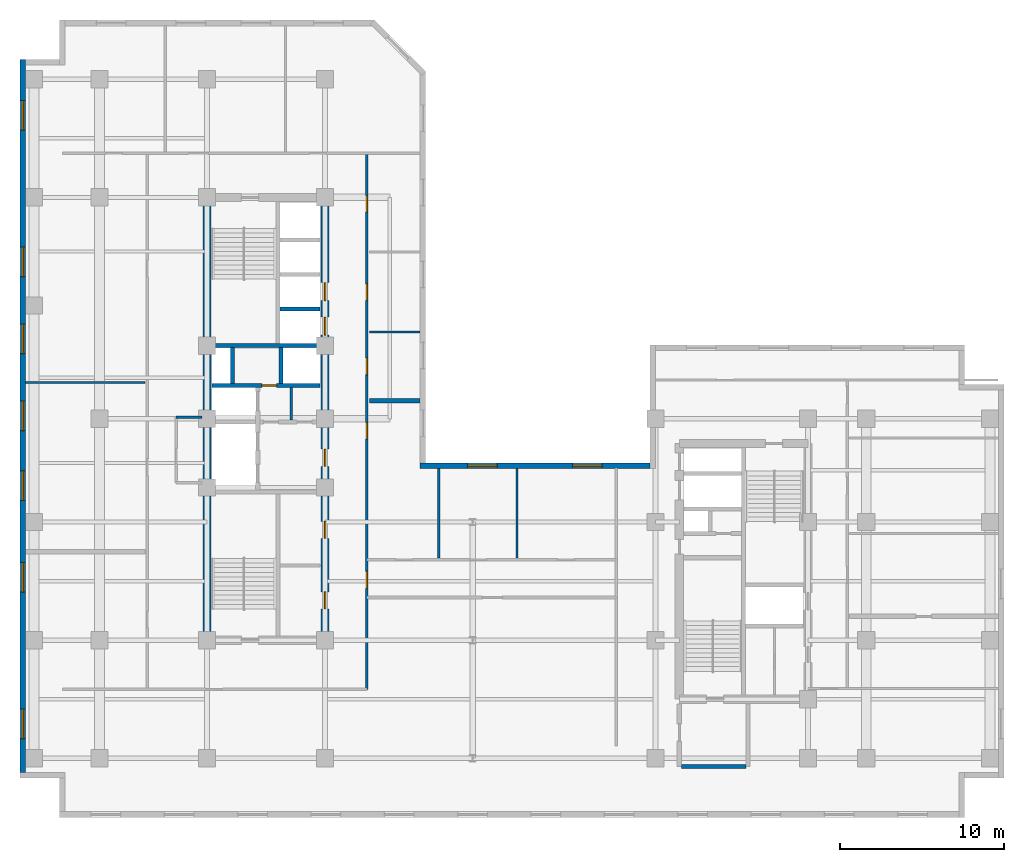
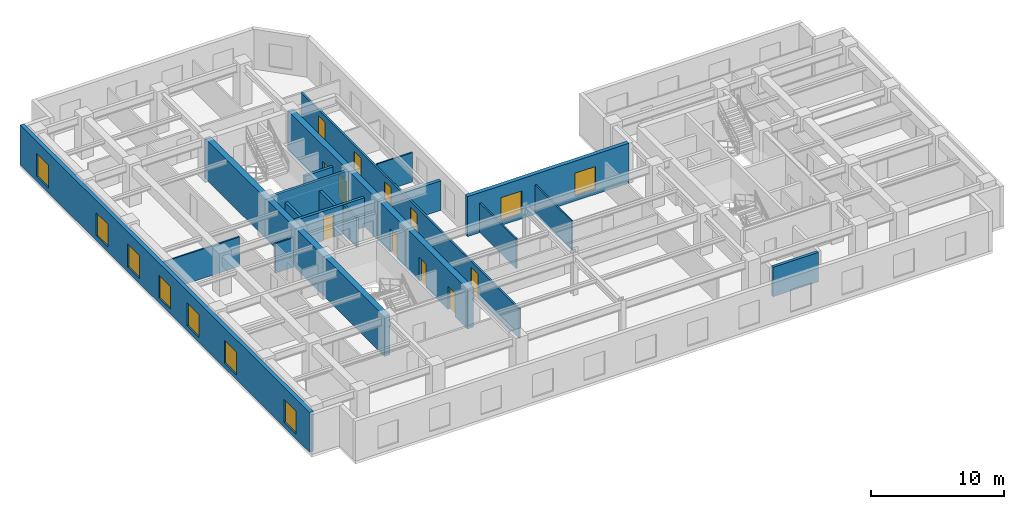
# One storey, part 4 of 10: 19 walls, 11 doors, 9 windows, 20 openings.
"""IFC4 building model written with IfcOpenShell, lengths in metres."""

from ifc_helpers import new_model, entity, si_unit, converted_unit, direction, frame, origin_with_axes, origin_2d_with_axis, place, context, subcontext, project, spatial, polyline, rectangle, outline, extrude, material, layer, layer_set, type_object, element, fill, save


model = new_model("IFC4")

# Units and contexts
model_context = context("Model", 3, precision=1e-05, world=origin_with_axes(), true_north=direction((0.0, 1.0)))
body_context = subcontext(model_context, "Body", "Model", "MODEL_VIEW")
ifc_project = project(units=[si_unit("LENGTHUNIT", "METRE"), si_unit("AREAUNIT", "SQUARE_METRE"), si_unit("VOLUMEUNIT", "CUBIC_METRE"), converted_unit("PLANEANGLEUNIT", "DEGREE", entity("IfcPlaneAngleMeasure", 0.017453292519943295), si_unit("PLANEANGLEUNIT", "RADIAN"), dimensions=[0, 0, 0, 0, 0, 0, 0]), si_unit("MASSUNIT", "GRAM", prefix="KILO"), si_unit("THERMODYNAMICTEMPERATUREUNIT", "KELVIN")], contexts=[model_context])

# Site, building, storey
site_placement = place(None, origin_with_axes())
site = spatial("IfcSite", under=ifc_project, at=site_placement, CompositionType="ELEMENT")
building_placement = place(site_placement, origin_with_axes())
building = spatial("IfcBuilding", under=site, at=building_placement, Name="Varnlund Millrace Tower", CompositionType="ELEMENT")
storey_placement = place(building_placement, frame((0.0, 0.0, 171.9), z_axis=(0.0, 0.0, 1.0), x_axis=(1.0, 0.0, 0.0)))
storey = spatial("IfcBuildingStorey", under=building, at=storey_placement, Name="L42", CompositionType="ELEMENT", Elevation=171.9)

# Wall
ifc_material_1 = material(Name="Concrete C70/85", Category="concrete")
ifc_layer_1 = layer(ifc_material_1, 0.5, Name="Concrete C70/85")
ifc_layer_set_1 = layer_set([ifc_layer_1], Name="Concrete C70/85")
wall_type_1 = type_object("IfcWallType", Name="Type-CoreWall-Shear-500-C70", PredefinedType="SHEAR", material=ifc_layer_set_1)
wall_1_placement = place(storey_placement, frame((11.4, 10.8, 0.0), z_axis=(0.0, 0.0, 1.0), x_axis=(0.0, 1.0, 0.0)))
element("IfcWall", 1, at=wall_1_placement, inside=storey, type_object=wall_type_1, Name="Type-CoreWall-Shear-500-C70", PredefinedType="SHEAR", context=body_context, shape_type="SweptSolid", body=[
    extrude(outline(polyline([(0.0, -0.25), (27.0, -0.25), (27.0, 0.25), (0.0, 0.25), (0.0, -0.25)])), origin_with_axes(), (0.0, 0.0, 1.0), 3.66),
])

# Wall, openings, doors
wall_2_placement = place(storey_placement, frame((18.6, 10.8, 0.0), z_axis=(0.0, 0.0, 1.0), x_axis=(0.0, 1.0, 0.0)))
wall_2 = element("IfcWall", 2, at=wall_2_placement, inside=storey, type_object=wall_type_1, Name="Type-CoreWall-Shear-500-C70", PredefinedType="SHEAR", context=body_context, shape_type="SweptSolid", body=[
    extrude(outline(polyline([(0.0, -0.25), (13.5, -0.25), (13.5, 0.25), (0.0, 0.25), (0.0, -0.25)])), origin_with_axes(), (0.0, 0.0, 1.0), 3.66),
])
opening_1_placement = place(wall_2_placement, frame((11.125, 0.0, 0.0), z_axis=(0.0, 0.0, 1.0), x_axis=(1.0, 0.0, 0.0)))
opening_1 = element("IfcOpeningElement", 3, at=opening_1_placement, cuts=wall_2, Name="Opening L42:DR-FFLOB-A", PredefinedType="OPENING", context=body_context, shape_type="SweptSolid", body=[
    extrude(rectangle(XDim=1.05, YDim=0.52, at=origin_2d_with_axis()), origin_with_axes(), (0.0, 0.0, 1.0), 2.15),
])
opening_2_placement = place(wall_2_placement, frame((2.425, 0.0, 0.0), z_axis=(0.0, 0.0, 1.0), x_axis=(1.0, 0.0, 0.0)))
opening_2 = element("IfcOpeningElement", 4, at=opening_2_placement, cuts=wall_2, Name="Opening L42:DR-RECL-A1-1", PredefinedType="OPENING", context=body_context, shape_type="SweptSolid", body=[
    extrude(rectangle(XDim=1.05, YDim=0.52, at=origin_2d_with_axis()), origin_with_axes(), (0.0, 0.0, 1.0), 2.15),
])
opening_3_placement = place(wall_2_placement, frame((6.725, 0.0, 0.0), z_axis=(0.0, 0.0, 1.0), x_axis=(1.0, 0.0, 0.0)))
opening_3 = element("IfcOpeningElement", 5, at=opening_3_placement, cuts=wall_2, Name="Opening L42:DR-RECL-A1-2", PredefinedType="OPENING", context=body_context, shape_type="SweptSolid", body=[
    extrude(rectangle(XDim=1.05, YDim=0.52, at=origin_2d_with_axis()), origin_with_axes(), (0.0, 0.0, 1.0), 2.15),
])
ifc_material_2 = material(Name="Smoke-barrier hollow steel fire door", Category="steel")
door_type_1 = type_object("IfcDoorType", Name="Type-FireDoor-Lobby-1050X2150", OperationType="NOTDEFINED", PredefinedType="DOOR", material=ifc_material_2)
door_1_placement = place(wall_2_placement, frame((11.125, 0.0, 0.0), z_axis=(0.0, 0.0, 1.0), x_axis=(1.0, 0.0, 0.0)))
door_1 = element("IfcDoor", 6, at=door_1_placement, inside=storey, type_object=door_type_1, Name="Type-FireDoor-Lobby-1050X2150", OperationType="SINGLE_SWING_LEFT", OverallHeight=2.15, OverallWidth=1.05, PredefinedType="DOOR", context=body_context, shape_type="SweptSolid", body=[
    extrude(rectangle(XDim=1.05, YDim=0.09, at=origin_2d_with_axis()), origin_with_axes(), (0.0, 0.0, 1.0), 2.15),
])
fill(opening_1, door_1)
door_2_placement = place(wall_2_placement, frame((2.425, 0.0, 0.0), z_axis=(0.0, 0.0, 1.0), x_axis=(1.0, 0.0, 0.0)))
door_2 = element("IfcDoor", 7, at=door_2_placement, inside=storey, type_object=door_type_1, Name="Type-FireDoor-Lobby-1050X2150", OperationType="SINGLE_SWING_LEFT", OverallHeight=2.15, OverallWidth=1.05, PredefinedType="DOOR", context=body_context, shape_type="SweptSolid", body=[
    extrude(rectangle(XDim=1.05, YDim=0.09, at=origin_2d_with_axis()), origin_with_axes(), (0.0, 0.0, 1.0), 2.15),
])
fill(opening_2, door_2)
door_3_placement = place(wall_2_placement, frame((6.725, 0.0, 0.0), z_axis=(0.0, 0.0, 1.0), x_axis=(1.0, 0.0, 0.0)))
door_3 = element("IfcDoor", 8, at=door_3_placement, inside=storey, type_object=door_type_1, Name="Type-FireDoor-Lobby-1050X2150", OperationType="SINGLE_SWING_RIGHT", OverallHeight=2.15, OverallWidth=1.05, PredefinedType="DOOR", context=body_context, shape_type="SweptSolid", body=[
    extrude(rectangle(XDim=1.05, YDim=0.09, at=origin_2d_with_axis()), origin_with_axes(), (0.0, 0.0, 1.0), 2.15),
])
fill(opening_3, door_3)

wall_3_placement = place(storey_placement, frame((18.6, 24.3, 0.0), z_axis=(0.0, 0.0, 1.0), x_axis=(0.0, 1.0, 0.0)))
wall_3 = element("IfcWall", 9, at=wall_3_placement, inside=storey, type_object=wall_type_1, Name="Type-CoreWall-Shear-500-C70", PredefinedType="SHEAR", context=body_context, shape_type="SweptSolid", body=[
    extrude(outline(polyline([(0.0, -0.25), (13.5, -0.25), (13.5, 0.25), (0.0, 0.25), (0.0, -0.25)])), origin_with_axes(), (0.0, 0.0, 1.0), 3.66),
])
opening_4_placement = place(wall_3_placement, frame((5.65, 0.0, 0.0), z_axis=(0.0, 0.0, 1.0), x_axis=(1.0, 0.0, 0.0)))
opening_4 = element("IfcOpeningElement", 10, at=opening_4_placement, cuts=wall_3, Name="Opening L42:LD-ELV-M1", PredefinedType="OPENING", context=body_context, shape_type="SweptSolid", body=[
    extrude(rectangle(XDim=1.1, YDim=0.52, at=origin_2d_with_axis()), origin_with_axes(), (0.0, 0.0, 1.0), 2.15),
])
opening_5_placement = place(wall_3_placement, frame((7.75, 0.0, 0.0), z_axis=(0.0, 0.0, 1.0), x_axis=(1.0, 0.0, 0.0)))
opening_5 = element("IfcOpeningElement", 11, at=opening_5_placement, cuts=wall_3, Name="Opening L42:LD-ELV-M2", PredefinedType="OPENING", context=body_context, shape_type="SweptSolid", body=[
    extrude(rectangle(XDim=1.1, YDim=0.52, at=origin_2d_with_axis()), origin_with_axes(), (0.0, 0.0, 1.0), 2.15),
])
ifc_material_3 = material(Name="Stainless and architectural bronze sliding landing door")
door_type_2 = type_object("IfcDoorType", Name="Type-LiftLandingDoor-1100X2150", OperationType="NOTDEFINED", PredefinedType="DOOR", material=ifc_material_3)
door_4_placement = place(wall_3_placement, frame((5.65, 0.0, 0.0), z_axis=(0.0, 0.0, 1.0), x_axis=(1.0, 0.0, 0.0)))
door_4 = element("IfcDoor", 12, at=door_4_placement, inside=storey, type_object=door_type_2, Name="Type-LiftLandingDoor-1100X2150", OperationType="SLIDING_TO_LEFT", OverallHeight=2.15, OverallWidth=1.1, PredefinedType="DOOR", context=body_context, shape_type="SweptSolid", body=[
    extrude(rectangle(XDim=1.1, YDim=0.09, at=origin_2d_with_axis()), origin_with_axes(), (0.0, 0.0, 1.0), 2.15),
])
fill(opening_4, door_4)
door_5_placement = place(wall_3_placement, frame((7.75, 0.0, 0.0), z_axis=(0.0, 0.0, 1.0), x_axis=(1.0, 0.0, 0.0)))
door_5 = element("IfcDoor", 13, at=door_5_placement, inside=storey, type_object=door_type_2, Name="Type-LiftLandingDoor-1100X2150", OperationType="SLIDING_TO_RIGHT", OverallHeight=2.15, OverallWidth=1.1, PredefinedType="DOOR", context=body_context, shape_type="SweptSolid", body=[
    extrude(rectangle(XDim=1.1, YDim=0.09, at=origin_2d_with_axis()), origin_with_axes(), (0.0, 0.0, 1.0), 2.15),
])
fill(opening_5, door_5)

# Wall, openings, windows
ifc_material_4 = material(Name="Precast concrete C50/60", Category="concrete")
ifc_layer_2 = layer(ifc_material_4, 0.34, Name="Precast concrete C50/60")
ifc_layer_set_2 = layer_set([ifc_layer_2], Name="Precast concrete C50/60")
wall_type_2 = type_object("IfcWallType", Name="Type-ExtWall-Precast-Upper-340", PredefinedType="SOLIDWALL", material=ifc_layer_set_2)
wall_4_placement = place(storey_placement, frame((0.17, 2.74, 0.0), z_axis=(0.0, 0.0, 1.0), x_axis=(0.0, 1.0, 0.0)))
wall_4 = element("IfcWall", 14, at=wall_4_placement, inside=storey, type_object=wall_type_2, Name="Type-ExtWall-Precast-Upper-340", PredefinedType="SOLIDWALL", context=body_context, shape_type="SweptSolid", body=[
    extrude(outline(polyline([(0.0, -0.17), (43.46, -0.17), (43.46, 0.17), (0.0, 0.17), (0.0, -0.17)])), origin_with_axes(), (0.0, 0.0, 1.0), 3.66),
])
opening_6_placement = place(wall_4_placement, frame((2.948, 0.0, 0.45), z_axis=(0.0, 0.0, 1.0), x_axis=(1.0, 0.0, 0.0)))
opening_6 = element("IfcOpeningElement", 15, at=opening_6_placement, cuts=wall_4, Name="Opening L42:WN-19", PredefinedType="OPENING", context=body_context, shape_type="SweptSolid", body=[
    extrude(rectangle(XDim=1.8, YDim=0.36, at=origin_2d_with_axis()), origin_with_axes(), (0.0, 0.0, 1.0), 2.1),
])
opening_7_placement = place(wall_4_placement, frame((11.889, 0.0, 0.45), z_axis=(0.0, 0.0, 1.0), x_axis=(1.0, 0.0, 0.0)))
opening_7 = element("IfcOpeningElement", 16, at=opening_7_placement, cuts=wall_4, Name="Opening L42:WN-20", PredefinedType="OPENING", context=body_context, shape_type="SweptSolid", body=[
    extrude(rectangle(XDim=1.8, YDim=0.36, at=origin_2d_with_axis()), origin_with_axes(), (0.0, 0.0, 1.0), 2.1),
])
opening_8_placement = place(wall_4_placement, frame((17.484, 0.0, 0.45), z_axis=(0.0, 0.0, 1.0), x_axis=(1.0, 0.0, 0.0)))
opening_8 = element("IfcOpeningElement", 17, at=opening_8_placement, cuts=wall_4, Name="Opening L42:WN-21", PredefinedType="OPENING", context=body_context, shape_type="SweptSolid", body=[
    extrude(rectangle(XDim=1.8, YDim=0.36, at=origin_2d_with_axis()), origin_with_axes(), (0.0, 0.0, 1.0), 2.1),
])
opening_9_placement = place(wall_4_placement, frame((21.73, 0.0, 0.45), z_axis=(0.0, 0.0, 1.0), x_axis=(1.0, 0.0, 0.0)))
opening_9 = element("IfcOpeningElement", 18, at=opening_9_placement, cuts=wall_4, Name="Opening L42:WN-22", PredefinedType="OPENING", context=body_context, shape_type="SweptSolid", body=[
    extrude(rectangle(XDim=1.8, YDim=0.36, at=origin_2d_with_axis()), origin_with_axes(), (0.0, 0.0, 1.0), 2.1),
])
opening_10_placement = place(wall_4_placement, frame((26.426, 0.0, 0.45), z_axis=(0.0, 0.0, 1.0), x_axis=(1.0, 0.0, 0.0)))
opening_10 = element("IfcOpeningElement", 19, at=opening_10_placement, cuts=wall_4, Name="Opening L42:WN-23", PredefinedType="OPENING", context=body_context, shape_type="SweptSolid", body=[
    extrude(rectangle(XDim=1.8, YDim=0.36, at=origin_2d_with_axis()), origin_with_axes(), (0.0, 0.0, 1.0), 2.1),
])
opening_11_placement = place(wall_4_placement, frame((31.121, 0.0, 0.45), z_axis=(0.0, 0.0, 1.0), x_axis=(1.0, 0.0, 0.0)))
opening_11 = element("IfcOpeningElement", 20, at=opening_11_placement, cuts=wall_4, Name="Opening L42:WN-24", PredefinedType="OPENING", context=body_context, shape_type="SweptSolid", body=[
    extrude(rectangle(XDim=1.8, YDim=0.36, at=origin_2d_with_axis()), origin_with_axes(), (0.0, 0.0, 1.0), 2.1),
])
opening_12_placement = place(wall_4_placement, frame((40.062, 0.0, 0.45), z_axis=(0.0, 0.0, 1.0), x_axis=(1.0, 0.0, 0.0)))
opening_12 = element("IfcOpeningElement", 21, at=opening_12_placement, cuts=wall_4, Name="Opening L42:WN-25", PredefinedType="OPENING", context=body_context, shape_type="SweptSolid", body=[
    extrude(rectangle(XDim=1.8, YDim=0.36, at=origin_2d_with_axis()), origin_with_axes(), (0.0, 0.0, 1.0), 2.1),
])
ifc_material_5 = material(Name="Argon low-e triple glazing in thermally broken bronze frame", Category="glass")
window_type = type_object("IfcWindowType", Name="Type-Window-Punched-1800X2100", PartitioningType="SINGLE_PANEL", PredefinedType="WINDOW", material=ifc_material_5)
window_1_placement = place(wall_4_placement, frame((2.948, 0.0, 0.45), z_axis=(0.0, 0.0, 1.0), x_axis=(1.0, 0.0, 0.0)))
window_1 = element("IfcWindow", 22, at=window_1_placement, inside=storey, type_object=window_type, Name="Type-Window-Punched-1800X2100", OverallHeight=2.1, OverallWidth=1.8, PredefinedType="WINDOW", context=body_context, shape_type="SweptSolid", body=[
    extrude(rectangle(XDim=1.8, YDim=0.09, at=origin_2d_with_axis()), origin_with_axes(), (0.0, 0.0, 1.0), 2.1),
])
fill(opening_6, window_1)
window_2_placement = place(wall_4_placement, frame((11.889, 0.0, 0.45), z_axis=(0.0, 0.0, 1.0), x_axis=(1.0, 0.0, 0.0)))
window_2 = element("IfcWindow", 23, at=window_2_placement, inside=storey, type_object=window_type, Name="Type-Window-Punched-1800X2100", OverallHeight=2.1, OverallWidth=1.8, PredefinedType="WINDOW", context=body_context, shape_type="SweptSolid", body=[
    extrude(rectangle(XDim=1.8, YDim=0.09, at=origin_2d_with_axis()), origin_with_axes(), (0.0, 0.0, 1.0), 2.1),
])
fill(opening_7, window_2)
window_3_placement = place(wall_4_placement, frame((17.484, 0.0, 0.45), z_axis=(0.0, 0.0, 1.0), x_axis=(1.0, 0.0, 0.0)))
window_3 = element("IfcWindow", 24, at=window_3_placement, inside=storey, type_object=window_type, Name="Type-Window-Punched-1800X2100", OverallHeight=2.1, OverallWidth=1.8, PredefinedType="WINDOW", context=body_context, shape_type="SweptSolid", body=[
    extrude(rectangle(XDim=1.8, YDim=0.09, at=origin_2d_with_axis()), origin_with_axes(), (0.0, 0.0, 1.0), 2.1),
])
fill(opening_8, window_3)
window_4_placement = place(wall_4_placement, frame((21.73, 0.0, 0.45), z_axis=(0.0, 0.0, 1.0), x_axis=(1.0, 0.0, 0.0)))
window_4 = element("IfcWindow", 25, at=window_4_placement, inside=storey, type_object=window_type, Name="Type-Window-Punched-1800X2100", OverallHeight=2.1, OverallWidth=1.8, PredefinedType="WINDOW", context=body_context, shape_type="SweptSolid", body=[
    extrude(rectangle(XDim=1.8, YDim=0.09, at=origin_2d_with_axis()), origin_with_axes(), (0.0, 0.0, 1.0), 2.1),
])
fill(opening_9, window_4)
window_5_placement = place(wall_4_placement, frame((26.426, 0.0, 0.45), z_axis=(0.0, 0.0, 1.0), x_axis=(1.0, 0.0, 0.0)))
window_5 = element("IfcWindow", 26, at=window_5_placement, inside=storey, type_object=window_type, Name="Type-Window-Punched-1800X2100", OverallHeight=2.1, OverallWidth=1.8, PredefinedType="WINDOW", context=body_context, shape_type="SweptSolid", body=[
    extrude(rectangle(XDim=1.8, YDim=0.09, at=origin_2d_with_axis()), origin_with_axes(), (0.0, 0.0, 1.0), 2.1),
])
fill(opening_10, window_5)
window_6_placement = place(wall_4_placement, frame((31.121, 0.0, 0.45), z_axis=(0.0, 0.0, 1.0), x_axis=(1.0, 0.0, 0.0)))
window_6 = element("IfcWindow", 27, at=window_6_placement, inside=storey, type_object=window_type, Name="Type-Window-Punched-1800X2100", OverallHeight=2.1, OverallWidth=1.8, PredefinedType="WINDOW", context=body_context, shape_type="SweptSolid", body=[
    extrude(rectangle(XDim=1.8, YDim=0.09, at=origin_2d_with_axis()), origin_with_axes(), (0.0, 0.0, 1.0), 2.1),
])
fill(opening_11, window_6)
window_7_placement = place(wall_4_placement, frame((40.062, 0.0, 0.45), z_axis=(0.0, 0.0, 1.0), x_axis=(1.0, 0.0, 0.0)))
window_7 = element("IfcWindow", 28, at=window_7_placement, inside=storey, type_object=window_type, Name="Type-Window-Punched-1800X2100", OverallHeight=2.1, OverallWidth=1.8, PredefinedType="WINDOW", context=body_context, shape_type="SweptSolid", body=[
    extrude(rectangle(XDim=1.8, YDim=0.09, at=origin_2d_with_axis()), origin_with_axes(), (0.0, 0.0, 1.0), 2.1),
])
fill(opening_12, window_7)

wall_5_placement = place(storey_placement, frame((24.398, 21.43, 0.0), z_axis=(0.0, 0.0, 1.0), x_axis=(1.0, 0.0, 0.0)))
wall_5 = element("IfcWall", 29, at=wall_5_placement, inside=storey, type_object=wall_type_2, Name="Type-ExtWall-Precast-Upper-340", PredefinedType="SOLIDWALL", context=body_context, shape_type="SweptSolid", body=[
    extrude(outline(polyline([(0.0, -0.17), (14.002, -0.17), (14.002, 0.17), (0.0, 0.17), (0.0, -0.17)])), origin_with_axes(), (0.0, 0.0, 1.0), 3.66),
])
opening_13_placement = place(wall_5_placement, frame((3.801, 0.0, 0.45), z_axis=(0.0, 0.0, 1.0), x_axis=(1.0, 0.0, 0.0)))
opening_13 = element("IfcOpeningElement", 30, at=opening_13_placement, cuts=wall_5, Name="Opening L42:WN-36", PredefinedType="OPENING", context=body_context, shape_type="SweptSolid", body=[
    extrude(rectangle(XDim=1.8, YDim=0.36, at=origin_2d_with_axis()), origin_with_axes(), (0.0, 0.0, 1.0), 2.1),
])
opening_14_placement = place(wall_5_placement, frame((10.201, 0.0, 0.45), z_axis=(0.0, 0.0, 1.0), x_axis=(1.0, 0.0, 0.0)))
opening_14 = element("IfcOpeningElement", 31, at=opening_14_placement, cuts=wall_5, Name="Opening L42:WN-37", PredefinedType="OPENING", context=body_context, shape_type="SweptSolid", body=[
    extrude(rectangle(XDim=1.8, YDim=0.36, at=origin_2d_with_axis()), origin_with_axes(), (0.0, 0.0, 1.0), 2.1),
])
window_8_placement = place(wall_5_placement, frame((3.801, 0.0, 0.45), z_axis=(0.0, 0.0, 1.0), x_axis=(1.0, 0.0, 0.0)))
window_8 = element("IfcWindow", 32, at=window_8_placement, inside=storey, type_object=window_type, Name="Type-Window-Punched-1800X2100", OverallHeight=2.1, OverallWidth=1.8, PredefinedType="WINDOW", context=body_context, shape_type="SweptSolid", body=[
    extrude(rectangle(XDim=1.8, YDim=0.09, at=origin_2d_with_axis()), origin_with_axes(), (0.0, 0.0, 1.0), 2.1),
])
fill(opening_13, window_8)
window_9_placement = place(wall_5_placement, frame((10.201, 0.0, 0.45), z_axis=(0.0, 0.0, 1.0), x_axis=(1.0, 0.0, 0.0)))
window_9 = element("IfcWindow", 33, at=window_9_placement, inside=storey, type_object=window_type, Name="Type-Window-Punched-1800X2100", OverallHeight=2.1, OverallWidth=1.8, PredefinedType="WINDOW", context=body_context, shape_type="SweptSolid", body=[
    extrude(rectangle(XDim=1.8, YDim=0.09, at=origin_2d_with_axis()), origin_with_axes(), (0.0, 0.0, 1.0), 2.1),
])
fill(opening_14, window_9)

# Walls
ifc_material_6 = material(Name="Double-stud STC-60 conference acoustic partition", Category="gypsum")
ifc_layer_3 = layer(ifc_material_6, 0.28, Name="Double-stud STC-60 conference acoustic partition")
ifc_layer_set_3 = layer_set([ifc_layer_3], Name="Double-stud STC-60 conference acoustic partition")
wall_type_3 = type_object("IfcWallType", Name="Type-Partition-Acoustic-280", PredefinedType="PARTITIONING", material=ifc_layer_set_3)
wall_6_placement = place(storey_placement, frame((21.3, 25.402, 0.0), z_axis=(0.0, 0.0, 1.0), x_axis=(1.0, 0.0, 0.0)))
element("IfcWall", 34, at=wall_6_placement, inside=storey, type_object=wall_type_3, Name="Type-Partition-Acoustic-280", PredefinedType="PARTITIONING", context=body_context, shape_type="SweptSolid", body=[
    extrude(outline(polyline([(0.0, -0.14), (3.103, -0.14), (3.103, 0.14), (0.0, 0.14), (0.0, -0.14)])), origin_with_axes(), (0.0, 0.0, 1.0), 2.7),
])
ifc_material_7 = material(Name="Fire-rated gypsum board on cold-formed steel framing", Category="steel")
ifc_layer_4 = layer(ifc_material_7, 0.16, Name="Fire-rated gypsum board on cold-formed steel framing")
ifc_layer_set_4 = layer_set([ifc_layer_4], Name="Fire-rated gypsum board on cold-formed steel framing")
wall_type_4 = type_object("IfcWallType", Name="Type-Partition-Corridor-160", PredefinedType="PARTITIONING", material=ifc_layer_set_4)
wall_7_placement = place(storey_placement, frame((16.55, 24.22, 0.0), z_axis=(0.0, 0.0, 1.0), x_axis=(0.0, 1.0, 0.0)))
element("IfcWall", 35, at=wall_7_placement, inside=storey, type_object=wall_type_4, Name="Type-Partition-Corridor-160", PredefinedType="PARTITIONING", context=body_context, shape_type="SweptSolid", body=[
    extrude(outline(polyline([(0.0, -0.08), (1.98, -0.08), (1.98, 0.08), (0.0, 0.08), (0.0, -0.08)])), origin_with_axes(), (0.0, 0.0, 1.0), 2.7),
])

# Wall, openings, doors
wall_8_placement = place(storey_placement, frame((21.15, 7.8, 0.0), z_axis=(0.0, 0.0, 1.0), x_axis=(0.0, 1.0, 0.0)))
wall_8 = element("IfcWall", 36, at=wall_8_placement, inside=storey, type_object=wall_type_4, Name="Type-Partition-Corridor-160", PredefinedType="PARTITIONING", context=body_context, shape_type="SweptSolid", body=[
    extrude(outline(polyline([(0.0, -0.08), (32.7, -0.08), (32.7, 0.08), (0.0, 0.08), (0.0, -0.08)])), origin_with_axes(), (0.0, 0.0, 1.0), 2.7),
])
opening_15_placement = place(wall_8_placement, frame((15.766, 0.0, 0.0), z_axis=(0.0, 0.0, 1.0), x_axis=(1.0, 0.0, 0.0)))
opening_15 = element("IfcOpeningElement", 37, at=opening_15_placement, cuts=wall_8, Name="Opening L42:DR-FLR-01", PredefinedType="OPENING", context=body_context, shape_type="SweptSolid", body=[
    extrude(rectangle(XDim=1.0, YDim=0.18, at=origin_2d_with_axis()), origin_with_axes(), (0.0, 0.0, 1.0), 2.15),
])
opening_16_placement = place(wall_8_placement, frame((19.696, 0.0, 0.0), z_axis=(0.0, 0.0, 1.0), x_axis=(1.0, 0.0, 0.0)))
opening_16 = element("IfcOpeningElement", 38, at=opening_16_placement, cuts=wall_8, Name="Opening L42:DR-FLR-02", PredefinedType="OPENING", context=body_context, shape_type="SweptSolid", body=[
    extrude(rectangle(XDim=1.0, YDim=0.18, at=origin_2d_with_axis()), origin_with_axes(), (0.0, 0.0, 1.0), 2.15),
])
opening_17_placement = place(wall_8_placement, frame((24.2225, 0.0, 0.0), z_axis=(0.0, 0.0, 1.0), x_axis=(1.0, 0.0, 0.0)))
opening_17 = element("IfcOpeningElement", 39, at=opening_17_placement, cuts=wall_8, Name="Opening L42:DR-FLR-03", PredefinedType="OPENING", context=body_context, shape_type="SweptSolid", body=[
    extrude(rectangle(XDim=1.0, YDim=0.18, at=origin_2d_with_axis()), origin_with_axes(), (0.0, 0.0, 1.0), 2.15),
])
opening_18_placement = place(wall_8_placement, frame((29.6125, 0.0, 0.0), z_axis=(0.0, 0.0, 1.0), x_axis=(1.0, 0.0, 0.0)))
opening_18 = element("IfcOpeningElement", 40, at=opening_18_placement, cuts=wall_8, Name="Opening L42:DR-FLR-04", PredefinedType="OPENING", context=body_context, shape_type="SweptSolid", body=[
    extrude(rectangle(XDim=1.0, YDim=0.18, at=origin_2d_with_axis()), origin_with_axes(), (0.0, 0.0, 1.0), 2.15),
])
opening_19_placement = place(wall_8_placement, frame((6.675, 0.0, 0.0), z_axis=(0.0, 0.0, 1.0), x_axis=(1.0, 0.0, 0.0)))
opening_19 = element("IfcOpeningElement", 41, at=opening_19_placement, cuts=wall_8, Name="Opening L42:DR-KN-W", PredefinedType="OPENING", context=body_context, shape_type="SweptSolid", body=[
    extrude(rectangle(XDim=1.05, YDim=0.18, at=origin_2d_with_axis()), origin_with_axes(), (0.0, 0.0, 1.0), 2.15),
])
door_6_placement = place(wall_8_placement, frame((6.675, 0.0, 0.0), z_axis=(0.0, 0.0, 1.0), x_axis=(1.0, 0.0, 0.0)))
door_6 = element("IfcDoor", 42, at=door_6_placement, inside=storey, type_object=door_type_1, Name="Type-FireDoor-Lobby-1050X2150", OperationType="SINGLE_SWING_LEFT", OverallHeight=2.15, OverallWidth=1.05, PredefinedType="DOOR", context=body_context, shape_type="SweptSolid", body=[
    extrude(rectangle(XDim=1.05, YDim=0.09, at=origin_2d_with_axis()), origin_with_axes(), (0.0, 0.0, 1.0), 2.15),
])
fill(opening_19, door_6)
ifc_material_8 = material(Name="Solid-core white oak and bronze frame door")
door_type_3 = type_object("IfcDoorType", Name="Type-IntDoor-Office-1000X2150", OperationType="NOTDEFINED", PredefinedType="DOOR", material=ifc_material_8)
door_7_placement = place(wall_8_placement, frame((15.766, 0.0, 0.0), z_axis=(0.0, 0.0, 1.0), x_axis=(1.0, 0.0, 0.0)))
door_7 = element("IfcDoor", 43, at=door_7_placement, inside=storey, type_object=door_type_3, Name="Type-IntDoor-Office-1000X2150", OperationType="SINGLE_SWING_LEFT", OverallHeight=2.15, OverallWidth=1.0, PredefinedType="DOOR", context=body_context, shape_type="SweptSolid", body=[
    extrude(rectangle(XDim=1.0, YDim=0.09, at=origin_2d_with_axis()), origin_with_axes(), (0.0, 0.0, 1.0), 2.15),
])
fill(opening_15, door_7)
door_8_placement = place(wall_8_placement, frame((19.696, 0.0, 0.0), z_axis=(0.0, 0.0, 1.0), x_axis=(1.0, 0.0, 0.0)))
door_8 = element("IfcDoor", 44, at=door_8_placement, inside=storey, type_object=door_type_3, Name="Type-IntDoor-Office-1000X2150", OperationType="SINGLE_SWING_RIGHT", OverallHeight=2.15, OverallWidth=1.0, PredefinedType="DOOR", context=body_context, shape_type="SweptSolid", body=[
    extrude(rectangle(XDim=1.0, YDim=0.09, at=origin_2d_with_axis()), origin_with_axes(), (0.0, 0.0, 1.0), 2.15),
])
fill(opening_16, door_8)
door_9_placement = place(wall_8_placement, frame((24.2225, 0.0, 0.0), z_axis=(0.0, 0.0, 1.0), x_axis=(1.0, 0.0, 0.0)))
door_9 = element("IfcDoor", 45, at=door_9_placement, inside=storey, type_object=door_type_3, Name="Type-IntDoor-Office-1000X2150", OperationType="SINGLE_SWING_LEFT", OverallHeight=2.15, OverallWidth=1.0, PredefinedType="DOOR", context=body_context, shape_type="SweptSolid", body=[
    extrude(rectangle(XDim=1.0, YDim=0.09, at=origin_2d_with_axis()), origin_with_axes(), (0.0, 0.0, 1.0), 2.15),
])
fill(opening_17, door_9)
door_10_placement = place(wall_8_placement, frame((29.6125, 0.0, 0.0), z_axis=(0.0, 0.0, 1.0), x_axis=(1.0, 0.0, 0.0)))
door_10 = element("IfcDoor", 46, at=door_10_placement, inside=storey, type_object=door_type_3, Name="Type-IntDoor-Office-1000X2150", OperationType="SINGLE_SWING_RIGHT", OverallHeight=2.15, OverallWidth=1.0, PredefinedType="DOOR", context=body_context, shape_type="SweptSolid", body=[
    extrude(rectangle(XDim=1.0, YDim=0.09, at=origin_2d_with_axis()), origin_with_axes(), (0.0, 0.0, 1.0), 2.15),
])
fill(opening_18, door_10)

# Walls
ifc_material_9 = material(Name="Acoustic STC-50 gypsum board partition", Category="gypsum")
ifc_layer_5 = layer(ifc_material_9, 0.15, Name="Acoustic STC-50 gypsum board partition")
ifc_layer_set_5 = layer_set([ifc_layer_5], Name="Acoustic STC-50 gypsum board partition")
wall_type_5 = type_object("IfcWallType", Name="Type-Partition-Demising-150", PredefinedType="PARTITIONING", material=ifc_layer_set_5)
wall_9_placement = place(storey_placement, frame((25.52, 15.82, 0.0), z_axis=(0.0, 0.0, 1.0), x_axis=(0.0, 1.0, 0.0)))
element("IfcWall", 47, at=wall_9_placement, inside=storey, type_object=wall_type_5, Name="Type-Partition-Demising-150", PredefinedType="PARTITIONING", context=body_context, shape_type="SweptSolid", body=[
    extrude(outline(polyline([(0.0, -0.075), (5.445, -0.075), (5.445, 0.075), (0.0, 0.075), (0.0, -0.075)])), origin_with_axes(), (0.0, 0.0, 1.0), 2.7),
])
ifc_material_10 = material(Name="Gypsum board tenant partition", Category="gypsum")
ifc_layer_6 = layer(ifc_material_10, 0.125, Name="Gypsum board tenant partition")
ifc_layer_set_6 = layer_set([ifc_layer_6], Name="Gypsum board tenant partition")
wall_type_6 = type_object("IfcWallType", Name="Type-Partition-Tenant-125", PredefinedType="PARTITIONING", material=ifc_layer_set_6)
wall_10_placement = place(storey_placement, frame((0.335, 26.517, 0.0), z_axis=(0.0, 0.0, 1.0), x_axis=(1.0, 0.0, 0.0)))
element("IfcWall", 48, at=wall_10_placement, inside=storey, type_object=wall_type_6, Name="Type-Partition-Tenant-125", PredefinedType="PARTITIONING", context=body_context, shape_type="SweptSolid", body=[
    extrude(outline(polyline([(0.0, -0.0625), (7.295, -0.0625), (7.295, 0.0625), (0.0, 0.0625), (0.0, -0.0625)])), origin_with_axes(), (0.0, 0.0, 1.0), 2.7),
])
wall_11_placement = place(storey_placement, frame((21.3, 29.59, 0.0), z_axis=(0.0, 0.0, 1.0), x_axis=(1.0, 0.0, 0.0)))
element("IfcWall", 49, at=wall_11_placement, inside=storey, type_object=wall_type_6, Name="Type-Partition-Tenant-125", PredefinedType="PARTITIONING", context=body_context, shape_type="SweptSolid", body=[
    extrude(outline(polyline([(0.0, -0.0625), (3.103, -0.0625), (3.103, 0.0625), (0.0, 0.0625), (0.0, -0.0625)])), origin_with_axes(), (0.0, 0.0, 1.0), 2.7),
])
wall_12_placement = place(storey_placement, frame((30.316, 15.82, 0.0), z_axis=(0.0, 0.0, 1.0), x_axis=(0.0, 1.0, 0.0)))
element("IfcWall", 50, at=wall_12_placement, inside=storey, type_object=wall_type_6, Name="Type-Partition-Tenant-125", PredefinedType="PARTITIONING", context=body_context, shape_type="SweptSolid", body=[
    extrude(outline(polyline([(0.0, -0.0625), (5.445, -0.0625), (5.445, 0.0625), (0.0, 0.0625), (0.0, -0.0625)])), origin_with_axes(), (0.0, 0.0, 1.0), 2.7),
])
ifc_material_11 = material(Name="Moisture-resistant gypsum restroom partition", Category="gypsum")
ifc_layer_7 = layer(ifc_material_11, 0.14, Name="Moisture-resistant gypsum restroom partition")
ifc_layer_set_7 = layer_set([ifc_layer_7], Name="Moisture-resistant gypsum restroom partition")
wall_type_7 = type_object("IfcWallType", Name="Type-Partition-Wet-140", PredefinedType="PARTITIONING", material=ifc_layer_set_7)
wall_13_placement = place(storey_placement, frame((9.52, 24.4, 0.0), z_axis=(0.0, 0.0, 1.0), x_axis=(1.0, 0.0, 0.0)))
element("IfcWall", 51, at=wall_13_placement, inside=storey, type_object=wall_type_7, Name="Type-Partition-Wet-140", PredefinedType="PARTITIONING", context=body_context, shape_type="SweptSolid", body=[
    extrude(outline(polyline([(0.0, -0.07), (1.58, -0.07), (1.58, 0.07), (0.0, 0.07), (0.0, -0.07)])), origin_with_axes(), (0.0, 0.0, 1.0), 2.7),
])

# Wall, opening, door
ifc_material_12 = material(Name="Concrete C60/75", Category="concrete")
ifc_layer_8 = layer(ifc_material_12, 0.25, Name="Concrete C60/75")
ifc_layer_set_8 = layer_set([ifc_layer_8], Name="Concrete C60/75")
wall_type_8 = type_object("IfcWallType", Name="Type-ShaftWall-Fire-250", PredefinedType="SOLIDWALL", material=ifc_layer_set_8)
wall_14_placement = place(storey_placement, frame((11.7, 26.325, 0.0), z_axis=(0.0, 0.0, 1.0), x_axis=(1.0, 0.0, 0.0)))
wall_14 = element("IfcWall", 52, at=wall_14_placement, inside=storey, type_object=wall_type_8, Name="Type-ShaftWall-Fire-250", PredefinedType="SOLIDWALL", context=body_context, shape_type="SweptSolid", body=[
    extrude(outline(polyline([(0.0, -0.125), (6.6, -0.125), (6.6, 0.125), (0.0, 0.125), (0.0, -0.125)])), origin_with_axes(), (0.0, 0.0, 1.0), 2.7),
])
opening_20_placement = place(wall_14_placement, frame((3.5, 0.0, 0.0), z_axis=(0.0, 0.0, 1.0), x_axis=(1.0, 0.0, 0.0)))
opening_20 = element("IfcOpeningElement", 53, at=opening_20_placement, cuts=wall_14, Name="Opening L42:DR-CA-ELC", PredefinedType="OPENING", context=body_context, shape_type="SweptSolid", body=[
    extrude(rectangle(XDim=0.9, YDim=0.27, at=origin_2d_with_axis()), origin_with_axes(), (0.0, 0.0, 1.0), 2.15),
])
ifc_material_13 = material(Name="Fire-rated hollow steel service closet door", Category="steel")
door_type_4 = type_object("IfcDoorType", Name="Type-FireDoor-Closet-900X2150", OperationType="NOTDEFINED", PredefinedType="DOOR", material=ifc_material_13)
door_11_placement = place(wall_14_placement, frame((3.5, 0.0, 0.0), z_axis=(0.0, 0.0, 1.0), x_axis=(1.0, 0.0, 0.0)))
door_11 = element("IfcDoor", 54, at=door_11_placement, inside=storey, type_object=door_type_4, Name="Type-FireDoor-Closet-900X2150", OperationType="SINGLE_SWING_LEFT", OverallHeight=2.15, OverallWidth=0.9, PredefinedType="DOOR", context=body_context, shape_type="SweptSolid", body=[
    extrude(rectangle(XDim=0.9, YDim=0.09, at=origin_2d_with_axis()), origin_with_axes(), (0.0, 0.0, 1.0), 2.15),
])
fill(opening_20, door_11)

# Walls
for number, where, z_axis, x_axis, name in (
    (55, (12.96, 26.45, 0.0), (0.0, 0.0, 1.0), (0.0, 1.0, 0.0), "Type-ShaftWall-Fire-250"),
    (56, (15.925, 26.45, 0.0), (0.0, 0.0, 1.0), (0.0, 1.0, 0.0), "Type-ShaftWall-Fire-250"),
):
    element("IfcWall", number, at=place(storey_placement, frame(where, z_axis=z_axis, x_axis=x_axis)), inside=storey, type_object=wall_type_8, Name=name, PredefinedType="SOLIDWALL", context=body_context, shape_type="SweptSolid", body=[
        extrude(outline(polyline([(0.0, -0.125), (2.2, -0.125), (2.2, 0.125), (0.0, 0.125), (0.0, -0.125)])), origin_with_axes(), (0.0, 0.0, 1.0), 2.7),
    ])
wall_15_placement = place(storey_placement, frame((40.325, 3.1, 0.0), z_axis=(0.0, 0.0, 1.0), x_axis=(1.0, 0.0, 0.0)))
element("IfcWall", 57, at=wall_15_placement, inside=storey, type_object=wall_type_8, Name="Type-ShaftWall-Fire-250", PredefinedType="SOLIDWALL", context=body_context, shape_type="SweptSolid", body=[
    extrude(outline(polyline([(0.0, -0.125), (3.95, -0.125), (3.95, 0.125), (0.0, 0.125), (0.0, -0.125)])), origin_with_axes(), (0.0, 0.0, 1.0), 2.7),
])
wall_16_placement = place(storey_placement, frame((15.84, 31.0, 0.0), z_axis=(0.0, 0.0, 1.0), x_axis=(1.0, 0.0, 0.0)))
element("IfcWall", 58, at=wall_16_placement, inside=storey, type_object=wall_type_8, Name="Type-ShaftWall-Fire-250", PredefinedType="SOLIDWALL", context=body_context, shape_type="SweptSolid", body=[
    extrude(outline(polyline([(0.0, -0.125), (2.46, -0.125), (2.46, 0.125), (0.0, 0.125), (0.0, -0.125)])), origin_with_axes(), (0.0, 0.0, 1.0), 2.7),
])
wall_type_9 = type_object("IfcWallType", Name="Type-StairWall-Shear-250", PredefinedType="SHEAR", material=ifc_layer_set_8)
wall_17_placement = place(storey_placement, frame((11.65, 28.775, 0.0), z_axis=(0.0, 0.0, 1.0), x_axis=(1.0, 0.0, 0.0)))
element("IfcWall", 59, at=wall_17_placement, inside=storey, type_object=wall_type_9, Name="Type-StairWall-Shear-250", PredefinedType="SHEAR", context=body_context, shape_type="SweptSolid", body=[
    extrude(outline(polyline([(0.0, -0.125), (6.7, -0.125), (6.7, 0.125), (0.0, 0.125), (0.0, -0.125)])), origin_with_axes(), (0.0, 0.0, 1.0), 3.66),
])

save(model, "model.ifc")
